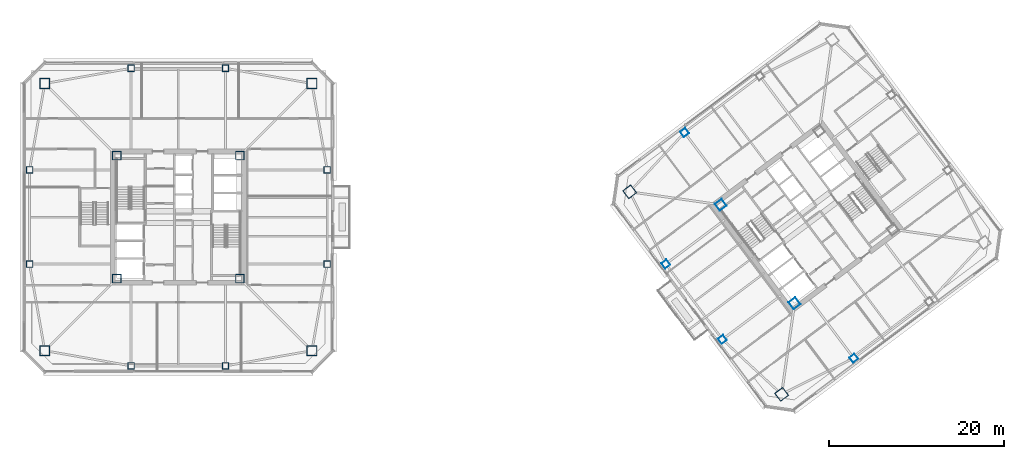
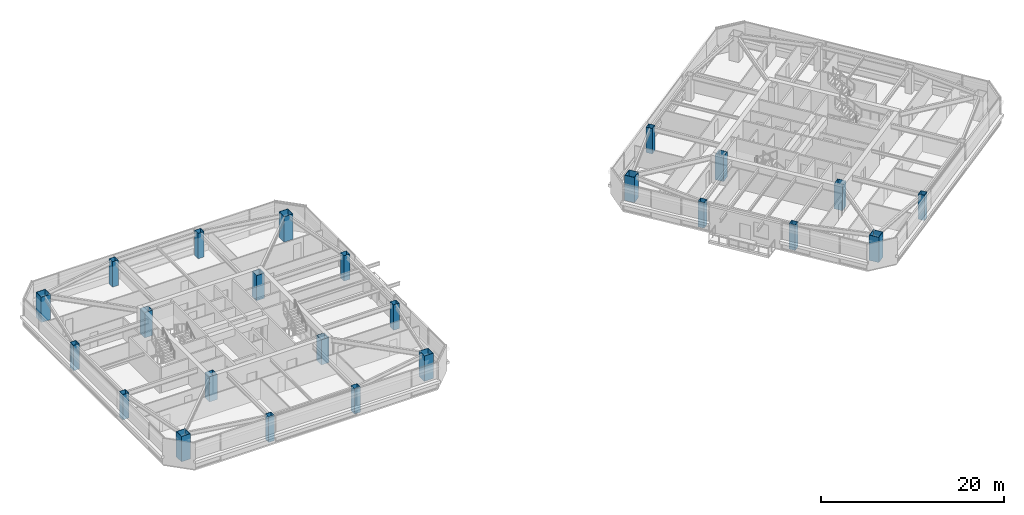
# One storey, part 1 of 41: 24 columns.
"""IFC4 building model written with IfcOpenShell, lengths in metres."""

import ifcopenshell
import ifcopenshell.guid

model = None  # the IFC model being written
_history = None  # IfcOwnerHistory: only IFC2X3 demands one
_inside = {}  # id of a spatial element -> (the spatial element, [elements in it])
_under = {}  # id of a project, library or spatial element -> (it, [spatial elements below it])
_declared = {}  # id of a project -> (the project, [libraries it declares])
_typed = {}  # id of a type object -> (the type object, [elements of that type])
_made_of = {}  # id of a material, layer set ... -> (it, [elements and type objects made of it])


def new_model(schema):
    """Start an empty IFC model of exactly this schema.

    Asked for "IFC4X3", IfcOpenShell would pick the latest addendum, in which some entities
    have other attributes; the version numbers below select the first issue.
    IFC2X3 requires an IfcOwnerHistory on every rooted entity: one is made here for all.
    """
    global model, _history
    if schema == "IFC4X3":
        model = ifcopenshell.file(schema_version=(4, 3, 0, 0))
    else:
        model = ifcopenshell.file(schema=schema)
    _inside.clear()
    _under.clear()
    _declared.clear()
    _typed.clear()
    _made_of.clear()
    _history = None
    if model.schema == "IFC2X3":
        org = make("IfcOrganization", Name="unknown")
        user = make(
            "IfcPersonAndOrganization",
            ThePerson=make("IfcPerson", FamilyName="unknown"),
            TheOrganization=org,
        )
        app = make(
            "IfcApplication",
            ApplicationDeveloper=org,
            Version="unknown",
            ApplicationFullName="unknown",
            ApplicationIdentifier="unknown",
        )
        _history = make(
            "IfcOwnerHistory",
            OwningUser=user,
            OwningApplication=app,
            ChangeAction="ADDED",
            CreationDate=0,
        )
    return model


def make(cls, **values):
    """One entity of the class cls with the attributes given. An attribute that is None is left unset."""
    return model.create_entity(
        cls, **{name: value for name, value in values.items() if value is not None}
    )


def rooted(cls, **values):
    """An entity with a GlobalId (a new one), such as an element, a storey or a relation."""
    return make(cls, GlobalId=ifcopenshell.guid.new(), OwnerHistory=_history, **values)


def si_unit(unit_type, name, prefix=None):
    """IfcSIUnit, for example si_unit("LENGTHUNIT", "METRE", prefix="MILLI")."""
    return make("IfcSIUnit", UnitType=unit_type, Prefix=prefix, Name=name)


def assignment(units):
    """IfcUnitAssignment: the units of a project."""
    return None if units is None else make("IfcUnitAssignment", Units=units)


def point(xyz):
    """IfcCartesianPoint."""
    return None if xyz is None else make("IfcCartesianPoint", Coordinates=xyz)


def direction(xyz):
    """IfcDirection."""
    return None if xyz is None else make("IfcDirection", DirectionRatios=xyz)


def frame(location, z_axis=None, x_axis=None):
    """IfcAxis2Placement3D, a coordinate frame: its origin and axes. An axis left out is left unset."""
    return make(
        "IfcAxis2Placement3D",
        Location=point(location),
        Axis=direction(z_axis),
        RefDirection=direction(x_axis),
    )


def frame_2d(location, x_axis=None):
    """IfcAxis2Placement2D, a coordinate frame in the plane: its origin and x axis."""
    return make(
        "IfcAxis2Placement2D", Location=point(location), RefDirection=direction(x_axis)
    )


def origin():
    """The frame at (0, 0, 0) with its axes left unset."""
    return frame((0.0, 0.0, 0.0))


def origin_2d():
    """The frame at (0, 0) in the plane with its x axis left unset."""
    return frame_2d((0.0, 0.0))


def place(relative_to, where):
    """IfcLocalPlacement: puts the frame where relative to a parent placement (None: the world)."""
    return make(
        "IfcLocalPlacement", PlacementRelTo=relative_to, RelativePlacement=where
    )


def context(
    kind, dimensions, precision=None, world=None, true_north=None, identifier=None
):
    """IfcGeometricRepresentationContext, for example the 3D "Model" context."""
    return make(
        "IfcGeometricRepresentationContext",
        ContextIdentifier=identifier,
        ContextType=kind,
        CoordinateSpaceDimension=dimensions,
        Precision=precision,
        WorldCoordinateSystem=world,
        TrueNorth=true_north,
    )


def subcontext(parent, identifier, kind, view, scale=None):
    """IfcGeometricRepresentationSubContext, for example "Body" below "Model"."""
    return make(
        "IfcGeometricRepresentationSubContext",
        ContextIdentifier=identifier,
        ContextType=kind,
        ParentContext=parent,
        TargetScale=scale,
        TargetView=view,
    )


def project(units=None, contexts=None):
    """IfcProject with its units and contexts."""
    return rooted(
        "IfcProject",
        Name="project",
        RepresentationContexts=contexts,
        UnitsInContext=assignment(units),
    )


def spatial(cls, under=None, at=None, **own):
    """A site, building, storey or space (cls), placed at a placement, below another one or the project."""
    s = rooted(cls, ObjectPlacement=at, **own)
    if under is not None:
        _under.setdefault(under.id(), (under, []))[1].append(s)
    return s


def profile(cls, at=None, kind="AREA", **sizes):
    """A parametric profile (cls). Its sizes go by their IFC names, for example OverallWidth=200.0."""
    return make(cls, ProfileType=kind, Position=at, **sizes)


def hollow_rectangle(**sizes):
    """IfcRectangleHollowProfileDef."""
    return profile("IfcRectangleHollowProfileDef", **sizes)


def extrude(swept, where, along, depth):
    """IfcExtrudedAreaSolid: the profile swept, set in the frame where, extruded along a direction by depth."""
    return make(
        "IfcExtrudedAreaSolid",
        SweptArea=swept,
        Position=where,
        ExtrudedDirection=direction(along),
        Depth=depth,
    )


def shape(context_of_items, identifier, shape_type, items):
    """IfcShapeRepresentation: the items that make up one representation, for example the "Body"."""
    return make(
        "IfcShapeRepresentation",
        ContextOfItems=context_of_items,
        RepresentationIdentifier=identifier,
        RepresentationType=shape_type,
        Items=items,
    )


def material(Name=None, Category=None):
    """IfcMaterial."""
    return make("IfcMaterial", Name=Name, Category=Category)


def material_profile(
    of_material, cross_section, Name=None, Category=None, Priority=None
):
    """IfcMaterialProfile: a cross section and its material."""
    return make(
        "IfcMaterialProfile",
        Name=Name,
        Material=of_material,
        Profile=cross_section,
        Priority=Priority,
        Category=Category,
    )


def profile_set(profiles, Name=None, composite=None):
    """IfcMaterialProfileSet."""
    return make(
        "IfcMaterialProfileSet",
        Name=Name,
        MaterialProfiles=profiles,
        CompositeProfile=composite,
    )


def made_of(thing, what):
    """Note that an element or type object is made of a material, layer set ...; save() writes the relation."""
    if what is not None:
        _made_of.setdefault(what.id(), (what, []))[1].append(thing)
    return thing


def type_object(cls, material=None, **own):
    """A type object (cls), such as IfcWallType, which elements share."""
    return made_of(rooted(cls, **own), material)


def element(
    cls,
    number,
    at=None,
    inside=None,
    cuts=None,
    type_object=None,
    material=None,
    context=None,
    identifier="Body",
    shape_type=None,
    held_by="IfcProductDefinitionShape",
    body=None,
    shapes=None,
    **own,
):
    """One element of the class cls, such as IfcWall. Its Tag is "e" and its number.

    at: its placement. inside: the storey or other place that contains it. cuts: it is an
    opening in that element (IfcRelVoidsElement). A single representation is given by context,
    identifier, shape_type and body (its items); several are given by shapes. held_by: the class
    of the entity that holds the representations. save() writes the other relations.
    """
    e = rooted(cls, Tag="e%d" % number, ObjectPlacement=at, **own)
    if body is not None:
        shapes = [shape(context, identifier, shape_type, body)]
    if shapes is not None:
        e.Representation = make(held_by, Representations=shapes)
    if inside is not None:
        _inside.setdefault(inside.id(), (inside, []))[1].append(e)
    if cuts is not None:
        rooted(
            "IfcRelVoidsElement", RelatingBuildingElement=cuts, RelatedOpeningElement=e
        )
    if type_object is not None:
        _typed.setdefault(type_object.id(), (type_object, []))[1].append(e)
    return made_of(e, material)


def aggregate(whole, parts):
    """IfcRelAggregates: a whole, such as a stair, and the parts it consists of."""
    return rooted("IfcRelAggregates", RelatingObject=whole, RelatedObjects=parts)


def save(model, path):
    """Write the relations noted so far, then the file.

    IfcRelAggregates (storeys below a building ...), IfcRelContainedInSpatialStructure (elements
    in a storey), IfcRelDefinesByType, IfcRelAssociatesMaterial and IfcRelDeclares: one each for
    every whole, place, type object, material and project.
    """
    for whole, parts in _under.values():
        aggregate(whole, parts)
    for where, things in _inside.values():
        rooted(
            "IfcRelContainedInSpatialStructure",
            RelatedElements=things,
            RelatingStructure=where,
        )
    for kind, things in _typed.values():
        rooted("IfcRelDefinesByType", RelatedObjects=things, RelatingType=kind)
    for what, things in _made_of.values():
        rooted("IfcRelAssociatesMaterial", RelatedObjects=things, RelatingMaterial=what)
    for by, libraries in _declared.values():
        rooted("IfcRelDeclares", RelatingContext=by, RelatedDefinitions=libraries)
    model.write(path)


model = new_model("IFC4")

# Units and contexts
model_context = context("Model", 3, precision=1e-05, world=origin(), true_north=direction((0.0, 1.0)))
body_context = subcontext(model_context, "Body", "Model", "MODEL_VIEW")
ifc_project = project(units=[si_unit("LENGTHUNIT", "METRE"), si_unit("AREAUNIT", "SQUARE_METRE"), si_unit("VOLUMEUNIT", "CUBIC_METRE"), si_unit("PLANEANGLEUNIT", "RADIAN"), si_unit("MASSUNIT", "GRAM", prefix="KILO")], contexts=[model_context])

# Site, building, storey
site_placement = place(None, origin())
site = spatial("IfcSite", under=ifc_project, at=site_placement, CompositionType="ELEMENT")
building_placement = place(site_placement, origin())
building = spatial("IfcBuilding", under=site, at=building_placement, Name="Tashvorn Skyway Center", CompositionType="ELEMENT")
storey_placement = place(building_placement, frame((0.0, 0.0, 171.199951171875)))
storey = spatial("IfcBuildingStorey", under=building, at=storey_placement, Name="L46", CompositionType="ELEMENT", Elevation=171.199951171875)

# Columns
ifc_material = material(Name="Steel ASTM A572 Grade 50", Category="steel")
ifc_material_profile_1 = material_profile(ifc_material, hollow_rectangle(XDim=1.0, YDim=1.0, WallThickness=0.0400390625, at=origin_2d()), Name="BOX1000x1000x40")
ifc_profile_set_1 = profile_set([ifc_material_profile_1], Name="Steel ASTM A572 Grade 50")
column_type_1 = type_object("IfcColumnType", Name="COL-BOX1000x1000x40", PredefinedType="COLUMN", material=ifc_profile_set_1)
for number, where, z_axis, x_axis, name in (
    (1, (34.949951171875, 24.949951171875, 0.0), (0.0, 0.0, 1.0), (1.0, 0.0, 0.0), "Tower 1 L46 Core Corner Column CC-SW"),
    (2, (49.050048828125, 24.949951171875, 0.0), (0.0, 0.0, 1.0), (1.0, 0.0, 0.0), "Tower 1 L46 Core Corner Column CC-SE"),
    (3, (49.050048828125, 39.050048828125, 0.0), (0.0, 0.0, 1.0), (1.0, 0.0, 0.0), "Tower 1 L46 Core Corner Column CC-NE"),
    (4, (34.949951171875, 39.050048828125, 0.0), (0.0, 0.0, 1.0), (1.0, 0.0, 0.0), "Tower 1 L46 Core Corner Column CC-NW"),
    (5, (112.590087890625, 22.1298828125, 0.0), (0.0, 0.0, 1.0), (0.799999996291, 0.600000004945, 0.0), "Tower 2 L46 Core Corner Column CC-SW"),
    (6, (104.1298828125, 33.409912109375, 0.0), (0.0, 0.0, 1.0), (0.799999996291, 0.600000004945, 0.0), "Tower 2 L46 Core Corner Column CC-NW"),
):
    element("IfcColumn", number, at=place(storey_placement, frame(where, z_axis=z_axis, x_axis=x_axis)), inside=storey, type_object=column_type_1, Name=name, PredefinedType="COLUMN", context=body_context, shape_type="SweptSolid", body=[
        extrude(hollow_rectangle(XDim=1.0, YDim=1.0, WallThickness=0.0400390625, at=origin_2d()), origin(), (0.0, 0.0, 1.0), 3.3701171875),
    ])
ifc_material_profile_2 = material_profile(ifc_material, hollow_rectangle(XDim=1.14990234375, YDim=1.14990234375, WallThickness=0.044921875, at=origin_2d()), Name="BOX1150x1150x45")
ifc_profile_set_2 = profile_set([ifc_material_profile_2], Name="Steel ASTM A572 Grade 50")
column_type_2 = type_object("IfcColumnType", Name="COL-BOX1150x1150x45", PredefinedType="COLUMN", material=ifc_profile_set_2)
for number, where, z_axis, x_axis, name in (
    (7, (26.699951171875, 16.699951171875, 0.0), (0.0, 0.0, 1.0), (1.0, 0.0, 0.0), "Tower 1 L46 Mega-Column MC-SW"),
    (8, (57.300048828125, 16.699951171875, 0.0), (0.0, 0.0, 1.0), (1.0, 0.0, 0.0), "Tower 1 L46 Mega-Column MC-SE"),
    (9, (57.300048828125, 47.300048828125, 0.0), (0.0, 0.0, 1.0), (1.0, 0.0, 0.0), "Tower 1 L46 Mega-Column MC-NE"),
    (10, (26.699951171875, 47.300048828125, 0.0), (0.0, 0.0, 1.0), (1.0, 0.0, 0.0), "Tower 1 L46 Mega-Column MC-NW"),
    (11, (111.10009765625, 11.699951171875, 0.0), (0.0, 0.0, 1.0), (0.799999996291, 0.600000004945, 0.0), "Tower 2 L46 Mega-Column MC-SW"),
    (12, (93.699951171875, 34.89990234375, 0.0), (0.0, 0.0, 1.0), (0.799999996291, 0.600000004945, 0.0), "Tower 2 L46 Mega-Column MC-NW"),
):
    element("IfcColumn", number, at=place(storey_placement, frame(where, z_axis=z_axis, x_axis=x_axis)), inside=storey, type_object=column_type_2, Name=name, PredefinedType="COLUMN", context=body_context, shape_type="SweptSolid", body=[
        extrude(hollow_rectangle(XDim=1.14990234375, YDim=1.14990234375, WallThickness=0.044921875, at=origin_2d()), origin(), (0.0, 0.0, 1.0), 3.3701171875),
    ])
ifc_material_profile_3 = material_profile(ifc_material, hollow_rectangle(XDim=0.75, YDim=0.75, WallThickness=0.031982421875, at=origin_2d()), Name="BOX750x750x32")
ifc_profile_set_3 = profile_set([ifc_material_profile_3], Name="Steel ASTM A572 Grade 50")
column_type_3 = type_object("IfcColumnType", Name="COL-BOX750x750x32", PredefinedType="COLUMN", material=ifc_profile_set_3)
for number, where, z_axis, x_axis, name in (
    (13, (36.60009765625, 14.949951171875, 0.0), (0.0, 0.0, 1.0), (1.0, 0.0, 0.0), "Tower 1 L46 Perimeter Column FC-S1"),
    (14, (47.39990234375, 14.949951171875, 0.0), (0.0, 0.0, 1.0), (1.0, 0.0, 0.0), "Tower 1 L46 Perimeter Column FC-S2"),
    (15, (59.050048828125, 26.60009765625, 0.0), (0.0, 0.0, 1.0), (1.0, 0.0, 0.0), "Tower 1 L46 Perimeter Column FC-E1"),
    (16, (59.050048828125, 37.39990234375, 0.0), (0.0, 0.0, 1.0), (1.0, 0.0, 0.0), "Tower 1 L46 Perimeter Column FC-E2"),
    (17, (47.39990234375, 49.050048828125, 0.0), (0.0, 0.0, 1.0), (1.0, 0.0, 0.0), "Tower 1 L46 Perimeter Column FC-N1"),
    (18, (36.60009765625, 49.050048828125, 0.0), (0.0, 0.0, 1.0), (1.0, 0.0, 0.0), "Tower 1 L46 Perimeter Column FC-N2"),
    (19, (24.949951171875, 37.39990234375, 0.0), (0.0, 0.0, 1.0), (1.0, 0.0, 0.0), "Tower 1 L46 Perimeter Column FC-W1"),
    (20, (24.949951171875, 26.60009765625, 0.0), (0.0, 0.0, 1.0), (1.0, 0.0, 0.0), "Tower 1 L46 Perimeter Column FC-W2"),
    (21, (119.3701171875, 15.840087890625, 0.0), (0.0, 0.0, 1.0), (0.799999996291, 0.600000004945, 0.0), "Tower 2 L46 Perimeter Column FC-S1"),
    (22, (99.989990234375, 41.679931640625, 0.0), (0.0, 0.0, 1.0), (0.799999996291, 0.600000004945, 0.0), "Tower 2 L46 Perimeter Column FC-N2"),
    (23, (97.840087890625, 26.6298828125, 0.0), (0.0, 0.0, 1.0), (0.799999996291, 0.600000004945, 0.0), "Tower 2 L46 Perimeter Column FC-W1"),
    (24, (104.320068359375, 17.989990234375, 0.0), (0.0, 0.0, 1.0), (0.799999996291, 0.600000004945, 0.0), "Tower 2 L46 Perimeter Column FC-W2"),
):
    element("IfcColumn", number, at=place(storey_placement, frame(where, z_axis=z_axis, x_axis=x_axis)), inside=storey, type_object=column_type_3, Name=name, PredefinedType="COLUMN", context=body_context, shape_type="SweptSolid", body=[
        extrude(hollow_rectangle(XDim=0.75, YDim=0.75, WallThickness=0.031982421875, at=origin_2d()), origin(), (0.0, 0.0, 1.0), 3.3701171875),
    ])

save(model, "model.ifc")
